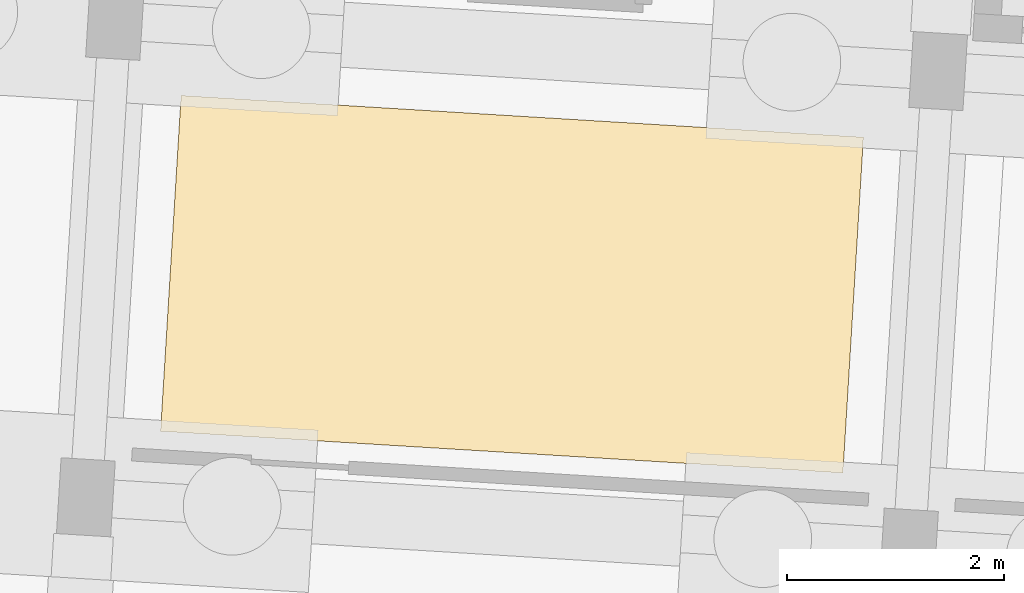
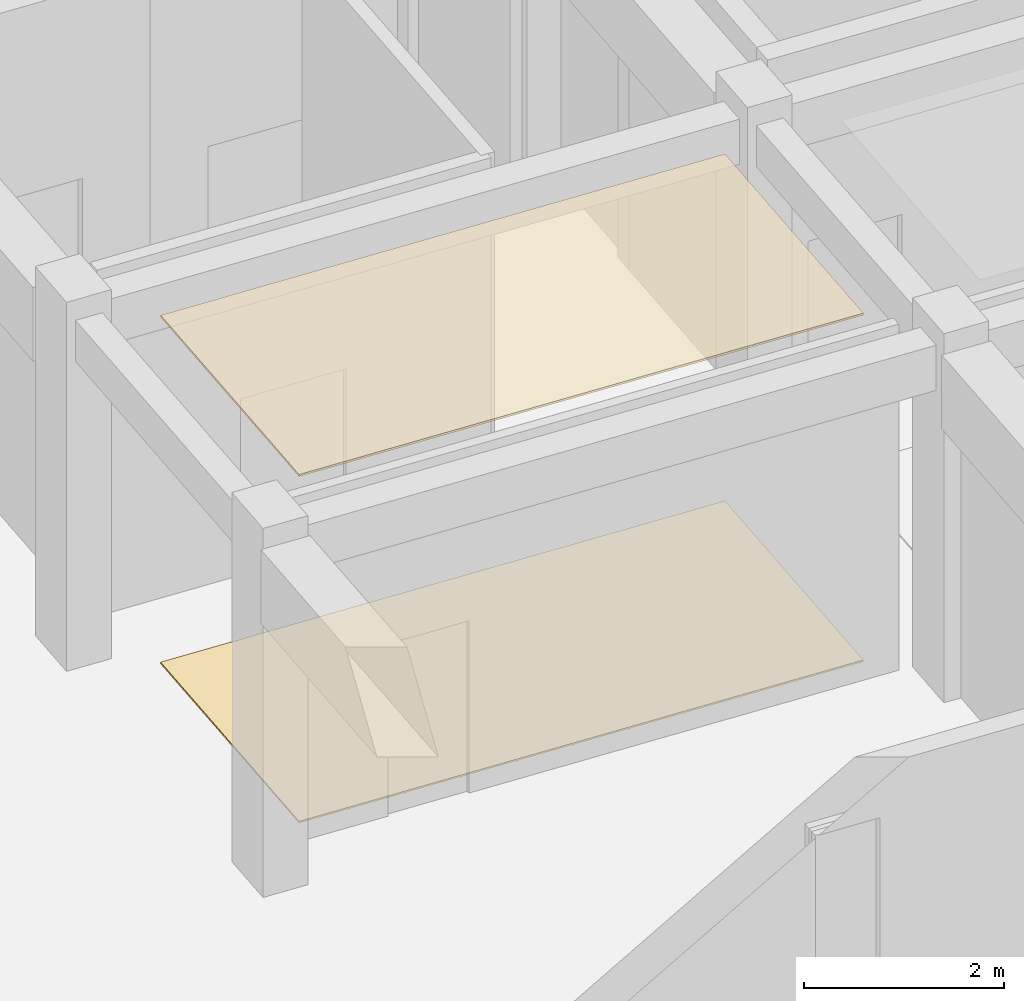
# One storey, part 140 of 154: 2 coverings.
"""IFC4 building model written with IfcOpenShell, lengths in metres."""

from ifc_helpers import new_model, si_unit, direction, frame, origin, place, context, subcontext, project, spatial, polyline, outline, extrude, material, layer, layer_set, type_object, element, save


model = new_model("IFC4")

# Units and contexts
model_context = context("Model", 3, precision=1e-05, world=origin(), true_north=direction((0.0, 1.0)))
body_context = subcontext(model_context, "Body", "Model", "MODEL_VIEW")
ifc_project = project(units=[si_unit("LENGTHUNIT", "METRE"), si_unit("AREAUNIT", "SQUARE_METRE"), si_unit("VOLUMEUNIT", "CUBIC_METRE"), si_unit("PLANEANGLEUNIT", "RADIAN"), si_unit("MASSUNIT", "GRAM", prefix="KILO")], contexts=[model_context])

# Site, building, storey
site_placement = place(None, origin())
site = spatial("IfcSite", under=ifc_project, at=site_placement, CompositionType="ELEMENT")
building_placement = place(site_placement, origin())
building = spatial("IfcBuilding", under=site, at=building_placement, Name="Kestramere Prow Commons", CompositionType="ELEMENT")
storey_placement = place(building_placement, origin())
storey = spatial("IfcBuildingStorey", under=building, at=storey_placement, Name="L00", CompositionType="ELEMENT", Elevation=0.0)

# Coverings
ifc_material_1 = material(Name="Mineral Fibre Acoustic Ceiling Tile")
ifc_layer_1 = layer(ifc_material_1, 0.02490234375)
ifc_layer_set_1 = layer_set([ifc_layer_1], Name="Mineral Fibre Acoustic Ceiling Tile")
covering_type_1 = type_object("IfcCoveringType", Name="COV-CEIL-ACOUSTIC", PredefinedType="CEILING", material=ifc_layer_set_1)
covering_1_placement = place(storey_placement, frame((0.0, 0.0, 4.22509765625)))
element("IfcCovering", 1, at=covering_1_placement, inside=storey, type_object=covering_type_1, Name="Block C L00 Corridor Acoustic Ceiling 1", PredefinedType="CEILING", context=body_context, shape_type="SweptSolid", body=[
    extrude(outline(polyline([(60.65234375, 54.69482421875), (66.940673828125, 54.310302734375), (67.1298828125, 57.404541015625), (60.841796875, 57.7890625), (60.65234375, 54.69482421875)])), origin(), (0.0, 0.0, 1.0), 0.02490234375),
])
ifc_material_2 = material(Name="Honed Cementitious Terrazzo Tile")
ifc_layer_2 = layer(ifc_material_2, 0.02001953125)
ifc_layer_set_2 = layer_set([ifc_layer_2], Name="Honed Cementitious Terrazzo Tile")
covering_type_2 = type_object("IfcCoveringType", Name="COV-FLOOR-TERRAZZO", PredefinedType="FLOORING", material=ifc_layer_set_2)
covering_2_placement = place(storey_placement, origin())
element("IfcCovering", 2, at=covering_2_placement, inside=storey, type_object=covering_type_2, Name="Block C L00 Corridor Terrazzo Flooring 1", PredefinedType="FLOORING", context=body_context, shape_type="SweptSolid", body=[
    extrude(outline(polyline([(60.65234375, 54.69482421875), (66.940673828125, 54.310302734375), (67.1298828125, 57.404541015625), (60.841796875, 57.7890625), (60.65234375, 54.69482421875)])), origin(), (0.0, 0.0, 1.0), 0.02001953125),
])

save(model, "model.ifc")
